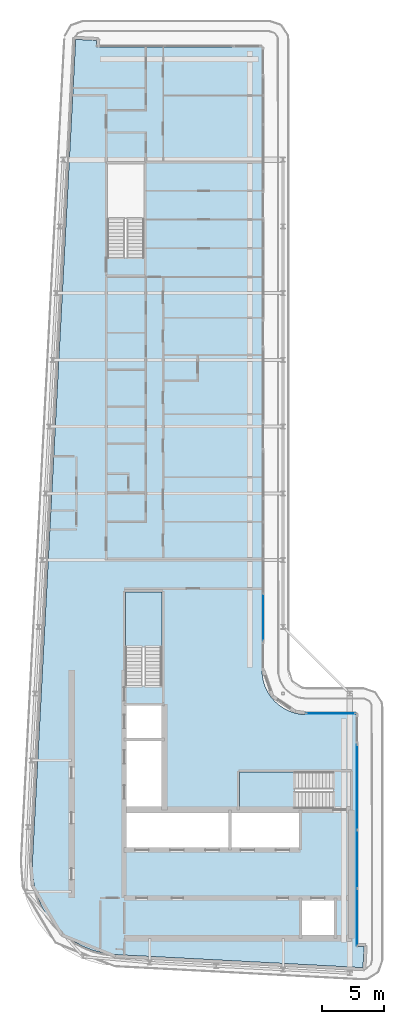
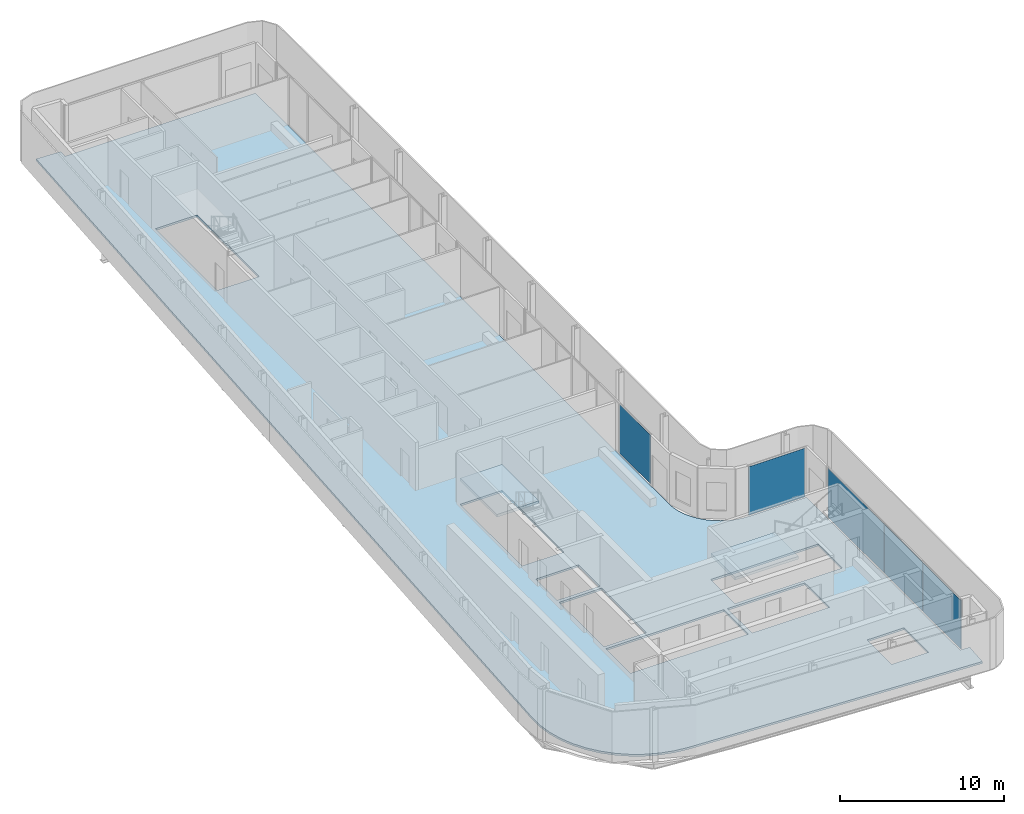
# One storey, part 7 of 18: 5 plates, 3 slabs, 6 elements without a shape of their own.
"""IFC4 building model written with IfcOpenShell, lengths in metres."""

from ifc_helpers import new_model, si_unit, direction, frame, origin, origin_2d, place, context, subcontext, project, spatial, polyline, rectangle, outline, extrude, material, layer, layer_set, type_object, element, aggregate, save


model = new_model("IFC4")

# Units and contexts
model_context = context("Model", 3, precision=1e-05, world=origin(), true_north=direction((0.0, 1.0)))
body_context = subcontext(model_context, "Body", "Model", "MODEL_VIEW")
ifc_project = project(units=[si_unit("LENGTHUNIT", "METRE"), si_unit("AREAUNIT", "SQUARE_METRE"), si_unit("VOLUMEUNIT", "CUBIC_METRE"), si_unit("PLANEANGLEUNIT", "RADIAN"), si_unit("MASSUNIT", "GRAM", prefix="KILO")], contexts=[model_context])

# Site, building, storey
site_placement = place(None, origin())
site = spatial("IfcSite", under=ifc_project, at=site_placement, CompositionType="ELEMENT")
building_placement = place(site_placement, origin())
building = spatial("IfcBuilding", under=site, at=building_placement, Name="Kheshtan School and Residences Tower", CompositionType="ELEMENT")
storey_placement = place(building_placement, frame((0.0, 0.0, 385.10009765625)))
storey = spatial("IfcBuildingStorey", under=building, at=storey_placement, Name="L91", CompositionType="ELEMENT", Elevation=385.10009765625)

# Curtain wall, plate
ifc_material_1 = material(Name="Clear low-e glass in thermally broken aluminium frame", Category="aluminium")
ifc_layer_1 = layer(ifc_material_1, 0.199951171875)
ifc_layer_set_1 = layer_set([ifc_layer_1], Name="Curtain wall CW-B")
curtain_wall_type_1 = type_object("IfcCurtainWallType", Name="Curtain wall CW-B", PredefinedType="NOTDEFINED", material=ifc_layer_set_1)
curtain_wall_1_placement = place(storey_placement, origin())
curtain_wall_1 = element("IfcCurtainWall", 1, at=curtain_wall_1_placement, inside=storey, type_object=curtain_wall_type_1, Name="Curtain wall CWB12", PredefinedType="NOTDEFINED")
ifc_layer_2 = layer(ifc_material_1, 0.031982421875)
ifc_layer_set_2 = layer_set([ifc_layer_2], Name="CW-B glass panel")
plate_type_1 = type_object("IfcPlateType", Name="CW-B glass panel", PredefinedType="CURTAIN_PANEL", material=ifc_layer_set_2)
plate_1_placement = place(storey_placement, frame((51.465087890625, 44.0, 0.0), z_axis=(0.0, 0.0, 1.0), x_axis=(1.0, 0.0, 0.0)))
plate_1 = element("IfcPlate", 2, at=plate_1_placement, type_object=plate_type_1, Name="CWB12 panel 1.1", PredefinedType="CURTAIN_PANEL", context=body_context, shape_type="SweptSolid", body=[
    extrude(rectangle(XDim=3.949951171875, YDim=0.031982421875, at=origin_2d()), origin(), (0.0, 0.0, 1.0), 3.6298828125),
])
aggregate(curtain_wall_1, [plate_1])

ifc_layer_3 = layer(ifc_material_1, 0.199951171875)
ifc_layer_set_3 = layer_set([ifc_layer_3], Name="Curtain wall CW-L")
curtain_wall_type_2 = type_object("IfcCurtainWallType", Name="Curtain wall CW-L", PredefinedType="NOTDEFINED", material=ifc_layer_set_3)
curtain_wall_2_placement = place(storey_placement, origin())
curtain_wall_2 = element("IfcCurtainWall", 3, at=curtain_wall_2_placement, inside=storey, type_object=curtain_wall_type_2, Name="Curtain wall CWL8c", PredefinedType="NOTDEFINED")
ifc_layer_4 = layer(ifc_material_1, 0.031982421875)
ifc_layer_set_4 = layer_set([ifc_layer_4], Name="CW-L glass panel")
plate_type_2 = type_object("IfcPlateType", Name="CW-L glass panel", PredefinedType="CURTAIN_PANEL", material=ifc_layer_set_4)
plate_2_placement = place(storey_placement, frame((46.0, 51.7685546875, 0.0), z_axis=(0.0, 0.0, 1.0), x_axis=(0.0, -1.0, 0.0)))
plate_2 = element("IfcPlate", 4, at=plate_2_placement, type_object=plate_type_2, Name="CWL8c panel 3.1", PredefinedType="CURTAIN_PANEL", context=body_context, shape_type="SweptSolid", body=[
    extrude(rectangle(XDim=3.757080078125, YDim=0.031982421875, at=origin_2d()), origin(), (0.0, 0.0, 1.0), 3.6298828125),
])
aggregate(curtain_wall_2, [plate_2])

curtain_wall_3_placement = place(storey_placement, origin())
curtain_wall_3 = element("IfcCurtainWall", 5, at=curtain_wall_3_placement, inside=storey, type_object=curtain_wall_type_2, Name="Curtain wall CWL13h", PredefinedType="NOTDEFINED")
plate_3_placement = place(storey_placement, frame((53.60009765625, 38.013916015625, 0.0), z_axis=(0.0, 0.0, 1.0), x_axis=(0.0, -1.0, 0.0)))
plate_3 = element("IfcPlate", 6, at=plate_3_placement, type_object=plate_type_2, Name="CWL13h panel 1.1", PredefinedType="CURTAIN_PANEL", context=body_context, shape_type="SweptSolid", body=[
    extrude(rectangle(XDim=6.85205078125, YDim=0.031982421875, at=origin_2d()), origin(), (0.0, 0.0, 1.0), 3.6298828125),
])
aggregate(curtain_wall_3, [plate_3])

# Curtain wall, plates
curtain_wall_4_placement = place(storey_placement, origin())
curtain_wall_4 = element("IfcCurtainWall", 7, at=curtain_wall_4_placement, inside=storey, type_object=curtain_wall_type_2, Name="Curtain wall CWL13i", PredefinedType="NOTDEFINED")
plate_4_placement = place(storey_placement, frame((53.60009765625, 32.199951171875, 0.0), z_axis=(0.0, 0.0, 1.0), x_axis=(0.0, -1.0, 0.0)))
plate_4 = element("IfcPlate", 8, at=plate_4_placement, type_object=plate_type_2, Name="CWL13i panel 1.1", PredefinedType="CURTAIN_PANEL", context=body_context, shape_type="SweptSolid", body=[
    extrude(rectangle(XDim=4.656005859375, YDim=0.031982421875, at=origin_2d()), origin(), (0.0, 0.0, 1.0), 3.6298828125),
])
plate_5_placement = place(storey_placement, frame((53.60009765625, 27.513916015625, 0.0), z_axis=(0.0, 0.0, 1.0), x_axis=(0.0, -1.0, 0.0)))
plate_5 = element("IfcPlate", 9, at=plate_5_placement, type_object=plate_type_2, Name="CWL13i panel 2.1", PredefinedType="CURTAIN_PANEL", context=body_context, shape_type="SweptSolid", body=[
    extrude(rectangle(XDim=4.595947265625, YDim=0.031982421875, at=origin_2d()), origin(), (0.0, 0.0, 1.0), 3.6298828125),
])
aggregate(curtain_wall_4, [plate_4, plate_5])

# Slab
ifc_material_2 = material(Name="Concrete C40/50", Category="concrete")
ifc_layer_5 = layer(ifc_material_2, 0.14990234375)
ifc_layer_set_5 = layer_set([ifc_layer_5], Name="Floor slab 150 Concrete C40/50")
slab_type_1 = type_object("IfcSlabType", Name="Floor slab 150 Concrete C40/50", PredefinedType="FLOOR", material=ifc_layer_set_5)
slab_1_placement = place(storey_placement, frame((0.0, 0.0, -0.150146484375)))
element("IfcSlab", 10, at=slab_1_placement, inside=storey, type_object=slab_type_1, Name="Floor slab L91", PredefinedType="FLOOR", context=body_context, shape_type="SweptSolid", body=[
    extrude(outline(polyline([(28.55908203125, 27.550048828125), (28.0849609375, 28.345947265625), (27.718017578125, 29.200927734375), (27.466064453125, 30.093017578125), (27.466064453125, 30.093994140625), (27.3330078125, 31.013916015625), (27.320068359375, 31.965087890625), (27.320068359375, 31.970947265625), (30.822021484375, 98.5009765625), (30.822998046875, 98.508056640625), (30.825927734375, 98.531005859375), (30.825927734375, 98.531982421875), (30.826904296875, 98.531982421875), (31.422119140625, 98.5), (31.423095703125, 98.5), (31.423095703125, 98.4990234375), (31.423095703125, 98.4951171875), (31.423095703125, 98.493896484375), (31.424072265625, 98.493896484375), (31.424072265625, 98.492919921875), (31.425048828125, 98.492919921875), (31.426025390625, 98.492919921875), (31.426025390625, 98.493896484375), (31.427978515625, 98.49609375), (31.428955078125, 98.4970703125), (31.429931640625, 98.498046875), (31.430908203125, 98.498046875), (31.430908203125, 98.4990234375), (31.431884765625, 98.4990234375), (31.431884765625, 98.5), (31.43505859375, 98.5009765625), (31.43603515625, 98.501953125), (31.43896484375, 98.501953125), (31.43994140625, 98.501953125), (31.43994140625, 98.5029296875), (31.44091796875, 98.5029296875), (31.446044921875, 98.5029296875), (32.5009765625, 98.447021484375), (32.50390625, 98.447021484375), (32.5048828125, 98.447021484375), (32.5048828125, 98.446044921875), (32.506103515625, 98.446044921875), (32.510009765625, 98.446044921875), (32.510009765625, 98.445068359375), (32.510986328125, 98.445068359375), (32.510986328125, 98.444091796875), (32.511962890625, 98.444091796875), (32.511962890625, 98.443115234375), (32.512939453125, 98.443115234375), (32.513916015625, 98.443115234375), (32.513916015625, 98.44189453125), (32.514892578125, 98.44189453125), (32.51611328125, 98.44189453125), (32.51904296875, 98.43896484375), (32.51904296875, 98.43798828125), (32.51904296875, 98.43701171875), (32.52001953125, 98.43701171875), (32.52001953125, 98.43603515625), (32.52099609375, 98.43603515625), (32.52099609375, 98.43408203125), (32.52099609375, 98.43310546875), (32.52197265625, 98.43310546875), (32.52197265625, 98.431884765625), (32.52294921875, 98.431884765625), (32.52294921875, 98.430908203125), (32.52294921875, 98.428955078125), (32.52294921875, 98.427978515625), (32.52392578125, 98.427978515625), (32.52392578125, 98.427001953125), (32.52392578125, 98.422119140625), (32.4970703125, 97.9208984375), (32.4970703125, 97.91796875), (32.4970703125, 97.9169921875), (32.49609375, 97.9169921875), (32.49609375, 97.916015625), (32.49609375, 97.912109375), (32.4951171875, 97.910888671875), (32.4951171875, 97.909912109375), (32.493896484375, 97.909912109375), (32.493896484375, 97.908935546875), (32.492919921875, 97.908935546875), (32.492919921875, 97.907958984375), (32.489013671875, 97.904052734375), (32.488037109375, 97.904052734375), (32.488037109375, 97.903076171875), (32.488037109375, 97.902099609375), (32.488037109375, 97.90087890625), (32.489013671875, 97.90087890625), (32.489013671875, 97.89990234375), (32.489990234375, 97.89990234375), (45.85498046875, 97.89990234375), (45.864990234375, 97.89794921875), (45.865966796875, 97.89794921875), (45.868896484375, 97.89599609375), (45.8740234375, 97.89404296875), (45.8779296875, 97.89208984375), (45.881103515625, 97.889892578125), (45.881103515625, 97.888916015625), (45.882080078125, 97.888916015625), (45.882080078125, 97.887939453125), (45.883056640625, 97.887939453125), (45.884033203125, 97.885009765625), (45.885009765625, 97.885009765625), (45.885009765625, 97.884033203125), (45.887939453125, 97.883056640625), (45.887939453125, 97.882080078125), (45.888916015625, 97.882080078125), (45.888916015625, 97.881103515625), (45.889892578125, 97.881103515625), (45.89208984375, 97.8779296875), (45.89404296875, 97.8740234375), (45.89599609375, 97.868896484375), (45.89794921875, 97.865966796875), (45.89794921875, 97.864990234375), (45.89990234375, 97.85498046875), (45.89990234375, 47.429931640625), (45.927001953125, 47.030029296875), (46.01806640625, 46.570068359375), (46.01806640625, 46.569091796875), (46.169921875, 46.1201171875), (46.37890625, 45.697021484375), (46.638916015625, 45.30810546875), (46.949951171875, 44.950927734375), (46.950927734375, 44.949951171875), (47.30810546875, 44.638916015625), (47.697021484375, 44.37890625), (48.1201171875, 44.169921875), (48.569091796875, 44.01806640625), (48.570068359375, 44.01806640625), (49.030029296875, 43.927001953125), (49.429931640625, 43.89990234375), (53.455078125, 43.89990234375), (53.465087890625, 43.89794921875), (53.466064453125, 43.89794921875), (53.468994140625, 43.89599609375), (53.47412109375, 43.89404296875), (53.47802734375, 43.89208984375), (53.48095703125, 43.889892578125), (53.48095703125, 43.888916015625), (53.48193359375, 43.888916015625), (53.48193359375, 43.887939453125), (53.48291015625, 43.887939453125), (53.48388671875, 43.885009765625), (53.485107421875, 43.885009765625), (53.485107421875, 43.884033203125), (53.488037109375, 43.883056640625), (53.488037109375, 43.882080078125), (53.489013671875, 43.882080078125), (53.489013671875, 43.881103515625), (53.489990234375, 43.881103515625), (53.491943359375, 43.8779296875), (53.493896484375, 43.8740234375), (53.49609375, 43.868896484375), (53.498046875, 43.865966796875), (53.498046875, 43.864990234375), (53.4990234375, 43.860107421875), (53.5, 43.85498046875), (53.5, 25.15087890625), (53.5, 25.14990234375), (53.5009765625, 25.14990234375), (53.5009765625, 25.14892578125), (53.501953125, 25.14892578125), (53.5029296875, 25.14892578125), (53.5029296875, 25.14990234375), (53.506103515625, 25.153076171875), (53.507080078125, 25.154052734375), (53.508056640625, 25.154052734375), (53.508056640625, 25.155029296875), (53.509033203125, 25.155029296875), (53.509033203125, 25.156005859375), (53.512939453125, 25.157958984375), (53.51611328125, 25.157958984375), (53.51708984375, 25.157958984375), (53.51708984375, 25.158935546875), (53.51806640625, 25.158935546875), (53.52294921875, 25.158935546875), (54.137939453125, 25.1259765625), (54.14111328125, 25.1259765625), (54.14208984375, 25.1259765625), (54.14208984375, 25.125), (54.14306640625, 25.125), (54.14697265625, 25.125), (54.14697265625, 25.1240234375), (54.14794921875, 25.1240234375), (54.14794921875, 25.123046875), (54.14892578125, 25.123046875), (54.14892578125, 25.1220703125), (54.14990234375, 25.1220703125), (54.15087890625, 25.1220703125), (54.15087890625, 25.12109375), (54.152099609375, 25.12109375), (54.153076171875, 25.12109375), (54.156005859375, 25.117919921875), (54.156005859375, 25.116943359375), (54.156005859375, 25.115966796875), (54.156982421875, 25.115966796875), (54.156982421875, 25.114990234375), (54.157958984375, 25.114990234375), (54.157958984375, 25.113037109375), (54.157958984375, 25.112060546875), (54.158935546875, 25.112060546875), (54.158935546875, 25.111083984375), (54.159912109375, 25.111083984375), (54.159912109375, 25.110107421875), (54.159912109375, 25.10791015625), (54.159912109375, 25.10693359375), (54.160888671875, 25.10693359375), (54.160888671875, 25.10595703125), (54.160888671875, 25.10107421875), (54.10498046875, 24.0439453125), (54.10498046875, 24.041015625), (54.10498046875, 24.0400390625), (54.10400390625, 24.0400390625), (54.10400390625, 24.0390625), (54.10400390625, 24.034912109375), (54.10302734375, 24.033935546875), (54.10302734375, 24.032958984375), (54.10205078125, 24.032958984375), (54.10205078125, 24.031982421875), (54.10107421875, 24.031982421875), (54.10107421875, 24.031005859375), (54.096923828125, 24.027099609375), (54.095947265625, 24.027099609375), (54.095947265625, 24.02587890625), (54.095947265625, 24.02490234375), (54.095947265625, 24.02392578125), (54.096923828125, 24.02392578125), (54.096923828125, 24.02294921875), (54.097900390625, 24.02294921875), (54.09912109375, 24.02294921875), (54.10009765625, 24.02294921875), (54.10009765625, 24.02197265625), (54.068115234375, 23.427001953125), (54.068115234375, 23.426025390625), (54.06689453125, 23.426025390625), (54.04296875, 23.425048828125), (54.0380859375, 23.425048828125), (34.056884765625, 24.47802734375), (33.114990234375, 24.590087890625), (32.215087890625, 24.819091796875), (32.214111328125, 24.819091796875), (31.35205078125, 25.1630859375), (30.541015625, 25.616943359375), (29.799072265625, 26.1708984375), (29.799072265625, 26.172119140625), (29.798095703125, 26.172119140625), (29.134033203125, 26.820068359375), (29.134033203125, 26.821044921875), (29.133056640625, 26.821044921875), (28.55908203125, 27.550048828125)]), holes=[polyline([(53.5009765625, 24.030029296875), (53.5, 24.030029296875), (53.5, 24.029052734375), (53.5, 24.02490234375), (53.5, 24.02392578125), (53.5009765625, 24.02392578125), (53.5009765625, 24.02294921875), (53.501953125, 24.02294921875), (53.506103515625, 24.02294921875), (53.507080078125, 24.02294921875), (53.507080078125, 24.02392578125), (53.508056640625, 24.02392578125), (53.508056640625, 24.02490234375), (53.508056640625, 24.02587890625), (53.507080078125, 24.02587890625), (53.50390625, 24.029052734375), (53.5029296875, 24.030029296875), (53.5029296875, 24.031005859375), (53.501953125, 24.031005859375), (53.5009765625, 24.031005859375), (53.5009765625, 24.030029296875)]), polyline([(31.424072265625, 97.906982421875), (31.423095703125, 97.906982421875), (31.423095703125, 97.906005859375), (31.423095703125, 97.902099609375), (31.423095703125, 97.90087890625), (31.424072265625, 97.90087890625), (31.424072265625, 97.89990234375), (31.425048828125, 97.89990234375), (31.428955078125, 97.89990234375), (31.429931640625, 97.89990234375), (31.429931640625, 97.90087890625), (31.430908203125, 97.90087890625), (31.430908203125, 97.902099609375), (31.430908203125, 97.903076171875), (31.429931640625, 97.903076171875), (31.428955078125, 97.904052734375), (31.427978515625, 97.905029296875), (31.427001953125, 97.906005859375), (31.426025390625, 97.906982421875), (31.426025390625, 97.907958984375), (31.425048828125, 97.907958984375), (31.424072265625, 97.907958984375), (31.424072265625, 97.906982421875)]), polyline([(51.72509765625, 28.925048828125), (49.125, 28.925048828125), (49.125, 25.925048828125), (51.72509765625, 25.925048828125), (51.72509765625, 28.925048828125)]), polyline([(43.175048828125, 33.074951171875), (43.175048828125, 36.074951171875), (34.875, 36.074951171875), (34.875, 33.074951171875), (43.175048828125, 33.074951171875)]), polyline([(43.425048828125, 36.074951171875), (43.425048828125, 33.074951171875), (48.875, 33.074951171875), (48.875, 36.074951171875), (43.425048828125, 36.074951171875)]), polyline([(51.64990234375, 37.699951171875), (51.64990234375, 39.25), (44.090087890625, 39.25), (44.090087890625, 36.300048828125), (51.639892578125, 36.300048828125), (51.639892578125, 37.699951171875), (51.64990234375, 37.699951171875)]), polyline([(37.875, 41.77490234375), (34.875, 41.77490234375), (34.875, 36.324951171875), (37.875, 36.324951171875), (37.875, 41.77490234375)]), polyline([(37.875, 44.625), (34.875, 44.625), (34.875, 42.02490234375), (37.875, 42.02490234375), (37.875, 44.625)]), polyline([(37.800048828125, 53.81005859375), (34.85009765625, 53.81005859375), (34.85009765625, 46.260009765625), (36.25, 46.260009765625), (36.25, 46.25), (37.800048828125, 46.25), (37.800048828125, 53.81005859375)]), polyline([(36.35009765625, 88.4599609375), (33.39990234375, 88.4599609375), (33.39990234375, 80.909912109375), (34.800048828125, 80.909912109375), (34.800048828125, 80.89990234375), (36.35009765625, 80.89990234375), (36.35009765625, 88.4599609375)])]), origin(), (0.0, 0.0, 1.0), 0.150146484375),
])

# Stair, slab
stair_type = type_object("IfcStairType", Name="Exit stair, half-turn", PredefinedType="HALF_TURN_STAIR", material=ifc_material_2)
stair_1_placement = place(storey_placement, origin())
stair_1 = element("IfcStair", 11, at=stair_1_placement, inside=storey, type_object=stair_type, Name="L91 Protected Exit Stair ST1", PredefinedType="HALF_TURN_STAIR")
ifc_layer_6 = layer(ifc_material_2, 0.199951171875)
ifc_layer_set_6 = layer_set([ifc_layer_6], Name="Stair landing 200 Concrete C40/50")
slab_type_2 = type_object("IfcSlabType", Name="Stair landing 200 Concrete C40/50", PredefinedType="LANDING", material=ifc_layer_set_6)
slab_2_placement = place(storey_placement, frame((0.0, 0.0, 1.75)))
slab_2 = element("IfcSlab", 12, at=slab_2_placement, type_object=slab_type_2, Name="ST1 landing 1", PredefinedType="LANDING", context=body_context, shape_type="SweptSolid", body=[
    extrude(outline(polyline([(48.570068359375, 39.25), (44.090087890625, 39.25), (44.090087890625, 36.300048828125), (48.570068359375, 36.300048828125), (48.570068359375, 39.25)])), origin(), (0.0, 0.0, 1.0), 0.199951171875),
])
aggregate(stair_1, [slab_2])

stair_2_placement = place(storey_placement, origin())
stair_2 = element("IfcStair", 13, at=stair_2_placement, inside=storey, type_object=stair_type, Name="L91 Protected Exit Stair ST2", PredefinedType="HALF_TURN_STAIR")
slab_3_placement = place(storey_placement, frame((0.0, 0.0, 1.75)))
slab_3 = element("IfcSlab", 14, at=slab_3_placement, type_object=slab_type_2, Name="ST2 landing 1", PredefinedType="LANDING", context=body_context, shape_type="SweptSolid", body=[
    extrude(outline(polyline([(37.800048828125, 49.330078125), (37.800048828125, 53.81005859375), (34.85009765625, 53.81005859375), (34.85009765625, 49.330078125), (37.800048828125, 49.330078125)])), origin(), (0.0, 0.0, 1.0), 0.199951171875),
])
aggregate(stair_2, [slab_3])

save(model, "model.ifc")
